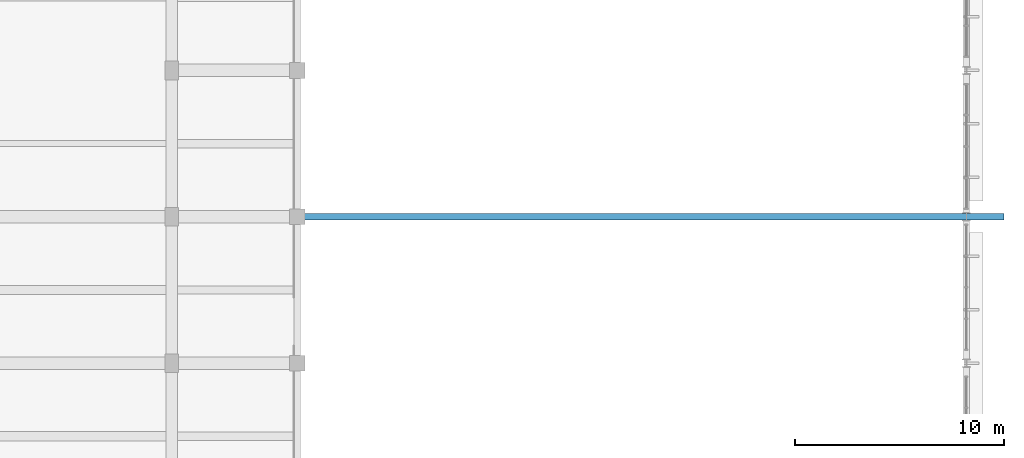
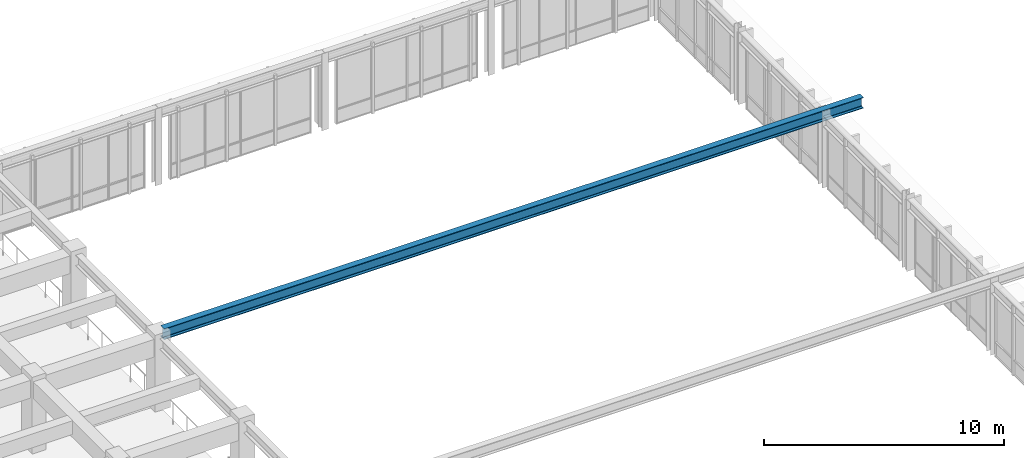
# One storey, part 42 of 98: 1 beam.
"""IFC4 building model written with IfcOpenShell, lengths in metres."""

from ifc_helpers import new_model, si_unit, direction, frame, origin, origin_2d, place, context, subcontext, project, spatial, i_section, extrude, material, material_profile, profile_set, type_object, element, save


model = new_model("IFC4")

# Units and contexts
model_context = context("Model", 3, precision=1e-05, world=origin(), true_north=direction((0.0, 1.0)))
body_context = subcontext(model_context, "Body", "Model", "MODEL_VIEW")
ifc_project = project(units=[si_unit("LENGTHUNIT", "METRE"), si_unit("AREAUNIT", "SQUARE_METRE"), si_unit("VOLUMEUNIT", "CUBIC_METRE"), si_unit("PLANEANGLEUNIT", "RADIAN"), si_unit("MASSUNIT", "GRAM", prefix="KILO")], contexts=[model_context])

# Site, building, storey
site_placement = place(None, origin())
site = spatial("IfcSite", under=ifc_project, at=site_placement, CompositionType="ELEMENT")
building_placement = place(site_placement, origin())
building = spatial("IfcBuilding", under=site, at=building_placement, Name="Larkveld Mobility Hub", CompositionType="ELEMENT")
storey_placement = place(building_placement, frame((0.0, 0.0, 4.5)))
storey = spatial("IfcBuildingStorey", under=building, at=storey_placement, Name="L01", CompositionType="ELEMENT", Elevation=4.5)

# Beam
ifc_material = material(Name="Steel S355JR", Category="steel")
ifc_material_profile = material_profile(ifc_material, i_section(OverallWidth=0.300048828125, OverallDepth=0.550048828125, WebThickness=0.014892578125, FlangeThickness=0.029052734375, FilletRadius=0.027099609375, at=origin_2d()), Name="HEB 550")
ifc_profile_set = profile_set([ifc_material_profile], Name="Steel S355JR")
beam_type = type_object("IfcBeamType", Name="BM-STHEB550", PredefinedType="BEAM", material=ifc_profile_set)
beam_placement = place(storey_placement, frame((152.18994140625, 112.0, 3.625), z_axis=(1.0, 0.0, 0.0), x_axis=(0.0, 1.0, 0.0)))
element("IfcBeam", 1, at=beam_placement, inside=storey, type_object=beam_type, Name="Sawtooth Valley Tie Girder T7 L01-1742", PredefinedType="BEAM", context=body_context, shape_type="SweptSolid", body=[
    extrude(i_section(OverallWidth=0.300048828125, OverallDepth=0.550048828125, WebThickness=0.014892578125, FlangeThickness=0.029052734375, FilletRadius=0.027099609375, at=origin_2d()), origin(), (0.0, 0.0, 1.0), 33.610107421875),
])

save(model, "model.ifc")
